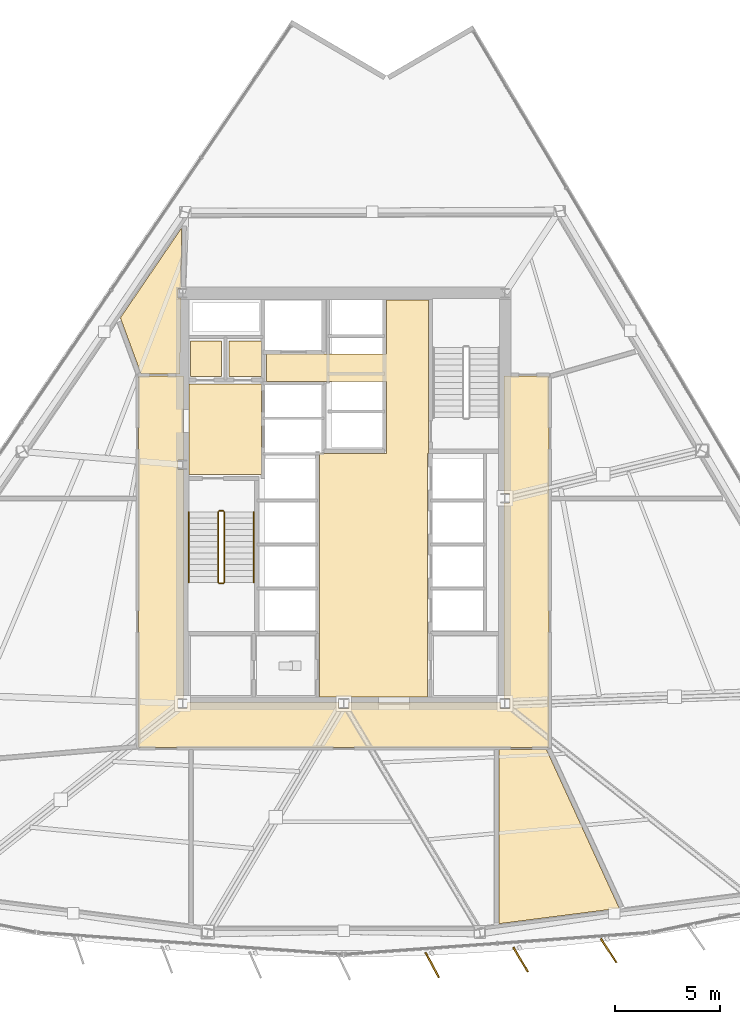
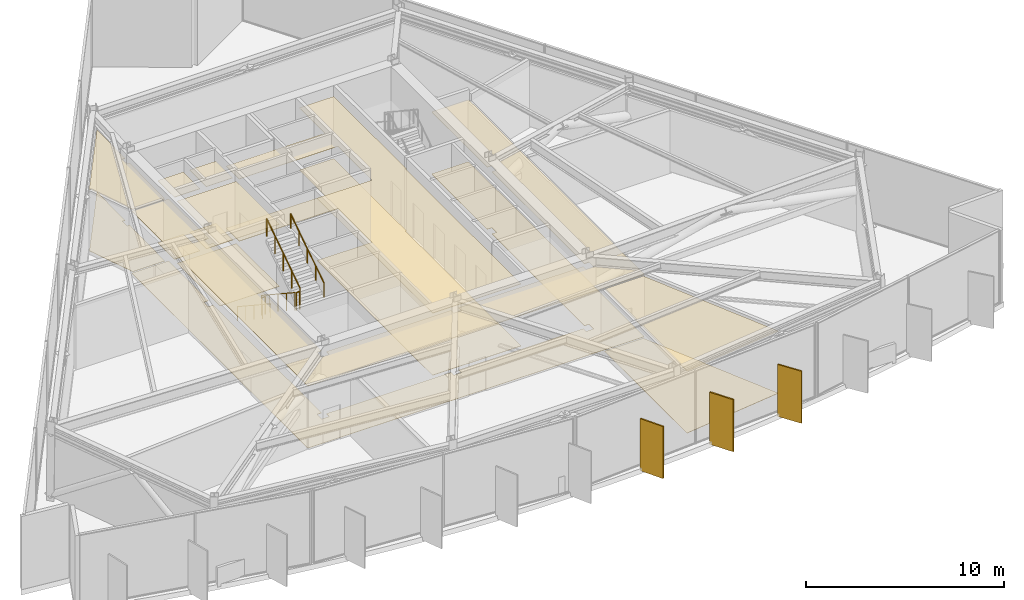
# One storey, part 13 of 16: 14 coverings, 6 railings, 3 shading devices.
"""IFC4 building model written with IfcOpenShell, lengths in metres."""

from ifc_helpers import new_model, si_unit, direction, frame, origin, origin_2d, place, context, subcontext, project, spatial, polyline, rectangle, circle, outline, extrude, material, layer, layer_set, type_object, element, save


model = new_model("IFC4")

# Units and contexts
model_context = context("Model", 3, precision=1e-05, world=origin(), true_north=direction((0.0, 1.0)))
body_context = subcontext(model_context, "Body", "Model", "MODEL_VIEW")
ifc_project = project(units=[si_unit("LENGTHUNIT", "METRE"), si_unit("AREAUNIT", "SQUARE_METRE"), si_unit("VOLUMEUNIT", "CUBIC_METRE"), si_unit("PLANEANGLEUNIT", "RADIAN"), si_unit("MASSUNIT", "GRAM", prefix="KILO")], contexts=[model_context])

# Site, building, storey
site_placement = place(None, origin())
site = spatial("IfcSite", under=ifc_project, at=site_placement, CompositionType="ELEMENT")
building_placement = place(site_placement, origin())
building = spatial("IfcBuilding", under=site, at=building_placement, Name="Savorim Split Tower", CompositionType="ELEMENT")
storey_placement = place(building_placement, frame((0.0, 0.0, 73.199951171875)))
storey = spatial("IfcBuildingStorey", under=building, at=storey_placement, Name="L19", CompositionType="ELEMENT", Elevation=73.199951171875)

# Coverings
ifc_material_1 = material(Name="Mineral Fibre Acoustic Ceiling")
ifc_layer_1 = layer(ifc_material_1, 0.02490234375)
ifc_layer_set_1 = layer_set([ifc_layer_1], Name="COV-CEIL-25")
covering_type_1 = type_object("IfcCoveringType", Name="COV-CEIL-25", PredefinedType="CEILING", material=ifc_layer_set_1)
covering_1_placement = place(storey_placement, frame((0.0, 0.0, 3.820068359375)))
element("IfcCovering", 1, at=covering_1_placement, inside=storey, type_object=covering_type_1, Name="L19 Firefighting Lift Lobby Acoustic Ceiling", PredefinedType="CEILING", context=body_context, shape_type="SweptSolid", body=[
    extrude(outline(polyline([(-7.3798828125, 5.8701171875), (-7.3798828125, 1.530029296875), (-3.929931640625, 1.530029296875), (-3.929931640625, 5.8701171875), (-7.3798828125, 5.8701171875)])), origin(), (0.0, 0.0, 1.0), 0.02490234375),
])
covering_2_placement = place(storey_placement, frame((0.0, 0.0, 3.820068359375)))
element("IfcCovering", 2, at=covering_2_placement, inside=storey, type_object=covering_type_1, Name="L19 Electrical Riser Acoustic Ceiling", PredefinedType="CEILING", context=body_context, shape_type="SweptSolid", body=[
    extrude(outline(polyline([(-7.320068359375, 7.919921875), (-7.320068359375, 6.22998046875), (-5.830078125, 6.22998046875), (-5.830078125, 7.919921875), (-7.320068359375, 7.919921875)])), origin(), (0.0, 0.0, 1.0), 0.02490234375),
])
covering_3_placement = place(storey_placement, frame((0.0, 0.0, 3.820068359375)))
element("IfcCovering", 3, at=covering_3_placement, inside=storey, type_object=covering_type_1, Name="L19 Telecom Riser Acoustic Ceiling", PredefinedType="CEILING", context=body_context, shape_type="SweptSolid", body=[
    extrude(outline(polyline([(-5.469970703125, 7.919921875), (-5.469970703125, 6.22998046875), (-3.929931640625, 6.22998046875), (-3.929931640625, 7.919921875), (-5.469970703125, 7.919921875)])), origin(), (0.0, 0.0, 1.0), 0.02490234375),
])
covering_4_placement = place(storey_placement, frame((0.0, 0.0, 3.820068359375)))
element("IfcCovering", 4, at=covering_4_placement, inside=storey, type_object=covering_type_1, Name="L19 Lift Lobby Acoustic Ceiling", PredefinedType="CEILING", context=body_context, shape_type="SweptSolid", body=[
    extrude(outline(polyline([(2.050048828125, 2.550048828125), (-1.14990234375, 2.550048828125), (-1.14990234375, -9.10009765625), (4.0, -9.10009765625), (4.0, 2.550048828125), (4.050048828125, 2.550048828125), (4.050048828125, 5.97998046875), (4.050048828125, 7.300048828125), (4.050048828125, 9.8798828125), (2.050048828125, 9.8798828125), (2.050048828125, 7.300048828125), (-3.699951171875, 7.300048828125), (-3.699951171875, 5.97998046875), (2.050048828125, 5.97998046875), (2.050048828125, 2.550048828125)])), origin(), (0.0, 0.0, 1.0), 0.02490234375),
])
covering_5_placement = place(storey_placement, frame((0.0, 0.0, 3.820068359375)))
element("IfcCovering", 5, at=covering_5_placement, inside=storey, type_object=covering_type_1, Name="L19 Plant Corridor Acoustic Ceiling", PredefinedType="CEILING", context=body_context, shape_type="SweptSolid", body=[
    extrude(outline(polyline([(7.91796875, 0.1669921875), (7.64990234375, 0.1669921875), (7.64990234375, -9.1669921875), (7.91796875, -9.1669921875), (7.91796875, -9.633056640625), (7.48193359375, -9.633056640625), (7.48193359375, -9.35009765625), (0.218017578125, -9.35009765625), (0.218017578125, -9.633056640625), (-0.218017578125, -9.633056640625), (-0.218017578125, -9.35009765625), (-7.48193359375, -9.35009765625), (-7.48193359375, -9.633056640625), (-7.91796875, -9.633056640625), (-7.91796875, -9.1669921875), (-7.64990234375, -9.1669921875), (-7.64990234375, 1.76708984375), (-7.91796875, 1.76708984375), (-7.91796875, 2.23291015625), (-7.64990234375, 2.23291015625), (-7.64990234375, 6.199951171875), (-7.650146484375, 6.204833984375), (-7.65087890625, 6.209716796875), (-7.652099609375, 6.214599609375), (-7.65380859375, 6.218994140625), (-7.656005859375, 6.2236328125), (-7.658447265625, 6.227783203125), (-7.661376953125, 6.231689453125), (-7.66455078125, 6.2353515625), (-7.668212890625, 6.23876953125), (-7.672119140625, 6.24169921875), (-7.676513671875, 6.244140625), (-7.680908203125, 6.24609375), (-7.685546875, 6.247802734375), (-7.690185546875, 6.2490234375), (-7.695068359375, 6.249755859375), (-7.699951171875, 6.25), (-9.75, 6.25), (-9.7548828125, 6.249755859375), (-9.759765625, 6.2490234375), (-9.764404296875, 6.247802734375), (-9.76904296875, 6.24609375), (-9.773681640625, 6.244140625), (-9.77783203125, 6.24169921875), (-9.78173828125, 6.23876953125), (-9.785400390625, 6.2353515625), (-9.788818359375, 6.231689453125), (-9.79150390625, 6.227783203125), (-9.794189453125, 6.2236328125), (-9.796142578125, 6.218994140625), (-9.7978515625, 6.214599609375), (-9.799072265625, 6.209716796875), (-9.7998046875, 6.204833984375), (-9.800048828125, 6.199951171875), (-9.800048828125, -11.449951171875), (-9.7998046875, -11.454833984375), (-9.799072265625, -11.459716796875), (-9.7978515625, -11.464599609375), (-9.796142578125, -11.468994140625), (-9.794189453125, -11.4736328125), (-9.79150390625, -11.477783203125), (-9.788818359375, -11.481689453125), (-9.785400390625, -11.4853515625), (-9.78173828125, -11.48876953125), (-9.77783203125, -11.49169921875), (-9.773681640625, -11.494140625), (-9.76904296875, -11.49609375), (-9.764404296875, -11.497802734375), (-9.759765625, -11.4990234375), (-9.7548828125, -11.499755859375), (-9.75, -11.5), (9.75, -11.5), (9.7548828125, -11.499755859375), (9.759765625, -11.4990234375), (9.764404296875, -11.497802734375), (9.76904296875, -11.49609375), (9.773681640625, -11.494140625), (9.77783203125, -11.49169921875), (9.78173828125, -11.48876953125), (9.785400390625, -11.4853515625), (9.788818359375, -11.481689453125), (9.79150390625, -11.477783203125), (9.794189453125, -11.4736328125), (9.796142578125, -11.468994140625), (9.7978515625, -11.464599609375), (9.799072265625, -11.459716796875), (9.7998046875, -11.454833984375), (9.800048828125, -11.449951171875), (9.800048828125, 6.199951171875), (9.7998046875, 6.204833984375), (9.799072265625, 6.209716796875), (9.7978515625, 6.214599609375), (9.796142578125, 6.218994140625), (9.794189453125, 6.2236328125), (9.79150390625, 6.227783203125), (9.788818359375, 6.231689453125), (9.785400390625, 6.2353515625), (9.78173828125, 6.23876953125), (9.77783203125, 6.24169921875), (9.773681640625, 6.244140625), (9.76904296875, 6.24609375), (9.764404296875, 6.247802734375), (9.759765625, 6.2490234375), (9.7548828125, 6.249755859375), (9.75, 6.25), (7.699951171875, 6.25), (7.695068359375, 6.249755859375), (7.690185546875, 6.2490234375), (7.685546875, 6.247802734375), (7.680908203125, 6.24609375), (7.676513671875, 6.244140625), (7.672119140625, 6.24169921875), (7.668212890625, 6.23876953125), (7.66455078125, 6.2353515625), (7.661376953125, 6.231689453125), (7.658447265625, 6.227783203125), (7.656005859375, 6.2236328125), (7.65380859375, 6.218994140625), (7.652099609375, 6.214599609375), (7.65087890625, 6.209716796875), (7.650146484375, 6.204833984375), (7.64990234375, 6.199951171875), (7.64990234375, 0.633056640625), (7.91796875, 0.633056640625), (7.91796875, 0.1669921875)])), origin(), (0.0, 0.0, 1.0), 0.02490234375),
])
covering_6_placement = place(storey_placement, frame((0.0, 0.0, 3.820068359375)))
element("IfcCovering", 6, at=covering_6_placement, inside=storey, type_object=covering_type_1, Name="L19 Refuge Area North-West Acoustic Ceiling", PredefinedType="CEILING", context=body_context, shape_type="SweptSolid", body=[
    extrude(outline(polyline([(7.4130859375, -11.590087890625), (7.4130859375, -19.881591796875), (7.4130859375, -19.916748046875), (13.15966796875, -19.178955078125), (9.6943359375, -11.629150390625), (9.676513671875, -11.590087890625), (7.4130859375, -11.590087890625)])), origin(), (0.0, 0.0, 1.0), 0.02490234375),
])
covering_7_placement = place(storey_placement, frame((0.0, 0.0, 3.820068359375)))
element("IfcCovering", 7, at=covering_7_placement, inside=storey, type_object=covering_type_1, Name="L19 Refuge Area South-West Acoustic Ceiling", PredefinedType="CEILING", context=body_context, shape_type="SweptSolid", body=[
    extrude(outline(polyline([(-7.91796875, 10.43310546875), (-7.77294921875, 10.43310546875), (-7.73974609375, 13.322509765625), (-10.692138671875, 8.982666015625), (-10.656494140625, 8.995849609375), (-9.69091796875, 6.370361328125), (-9.6796875, 6.340087890625), (-7.820068359375, 6.340087890625), (-7.7783203125, 9.967041015625), (-7.91796875, 9.967041015625), (-7.91796875, 10.43310546875)])), origin(), (0.0, 0.0, 1.0), 0.02490234375),
])
ifc_material_2 = material(Name="Porcelain Stoneware Flooring", Category="masonry")
ifc_layer_2 = layer(ifc_material_2, 0.02001953125)
ifc_layer_set_2 = layer_set([ifc_layer_2], Name="COV-FLOR-20")
covering_type_2 = type_object("IfcCoveringType", Name="COV-FLOR-20", PredefinedType="FLOORING", material=ifc_layer_set_2)
covering_8_placement = place(storey_placement, origin())
element("IfcCovering", 8, at=covering_8_placement, inside=storey, type_object=covering_type_2, Name="L19 Firefighting Lift Lobby Porcelain Flooring", PredefinedType="FLOORING", context=body_context, shape_type="SweptSolid", body=[
    extrude(outline(polyline([(-7.3798828125, 5.8701171875), (-7.3798828125, 1.530029296875), (-3.929931640625, 1.530029296875), (-3.929931640625, 5.8701171875), (-7.3798828125, 5.8701171875)])), origin(), (0.0, 0.0, 1.0), 0.02001953125),
])
covering_9_placement = place(storey_placement, origin())
element("IfcCovering", 9, at=covering_9_placement, inside=storey, type_object=covering_type_2, Name="L19 Electrical Riser Porcelain Flooring", PredefinedType="FLOORING", context=body_context, shape_type="SweptSolid", body=[
    extrude(outline(polyline([(-7.320068359375, 7.919921875), (-7.320068359375, 6.22998046875), (-5.830078125, 6.22998046875), (-5.830078125, 7.919921875), (-7.320068359375, 7.919921875)])), origin(), (0.0, 0.0, 1.0), 0.02001953125),
])
covering_10_placement = place(storey_placement, origin())
element("IfcCovering", 10, at=covering_10_placement, inside=storey, type_object=covering_type_2, Name="L19 Telecom Riser Porcelain Flooring", PredefinedType="FLOORING", context=body_context, shape_type="SweptSolid", body=[
    extrude(outline(polyline([(-5.469970703125, 7.919921875), (-5.469970703125, 6.22998046875), (-3.929931640625, 6.22998046875), (-3.929931640625, 7.919921875), (-5.469970703125, 7.919921875)])), origin(), (0.0, 0.0, 1.0), 0.02001953125),
])
covering_11_placement = place(storey_placement, origin())
element("IfcCovering", 11, at=covering_11_placement, inside=storey, type_object=covering_type_2, Name="L19 Lift Lobby Porcelain Flooring", PredefinedType="FLOORING", context=body_context, shape_type="SweptSolid", body=[
    extrude(outline(polyline([(2.050048828125, 2.550048828125), (-1.14990234375, 2.550048828125), (-1.14990234375, -9.10009765625), (4.0, -9.10009765625), (4.0, 2.550048828125), (4.050048828125, 2.550048828125), (4.050048828125, 5.97998046875), (4.050048828125, 7.300048828125), (4.050048828125, 9.8798828125), (2.050048828125, 9.8798828125), (2.050048828125, 7.300048828125), (-3.699951171875, 7.300048828125), (-3.699951171875, 5.97998046875), (2.050048828125, 5.97998046875), (2.050048828125, 2.550048828125)])), origin(), (0.0, 0.0, 1.0), 0.02001953125),
])
covering_12_placement = place(storey_placement, origin())
element("IfcCovering", 12, at=covering_12_placement, inside=storey, type_object=covering_type_2, Name="L19 Plant Corridor Porcelain Flooring", PredefinedType="FLOORING", context=body_context, shape_type="SweptSolid", body=[
    extrude(outline(polyline([(7.91796875, 0.1669921875), (7.64990234375, 0.1669921875), (7.64990234375, -9.1669921875), (7.91796875, -9.1669921875), (7.91796875, -9.633056640625), (7.48193359375, -9.633056640625), (7.48193359375, -9.35009765625), (0.218017578125, -9.35009765625), (0.218017578125, -9.633056640625), (-0.218017578125, -9.633056640625), (-0.218017578125, -9.35009765625), (-7.48193359375, -9.35009765625), (-7.48193359375, -9.633056640625), (-7.91796875, -9.633056640625), (-7.91796875, -9.1669921875), (-7.64990234375, -9.1669921875), (-7.64990234375, 1.76708984375), (-7.91796875, 1.76708984375), (-7.91796875, 2.23291015625), (-7.64990234375, 2.23291015625), (-7.64990234375, 6.199951171875), (-7.650146484375, 6.204833984375), (-7.65087890625, 6.209716796875), (-7.652099609375, 6.214599609375), (-7.65380859375, 6.218994140625), (-7.656005859375, 6.2236328125), (-7.658447265625, 6.227783203125), (-7.661376953125, 6.231689453125), (-7.66455078125, 6.2353515625), (-7.668212890625, 6.23876953125), (-7.672119140625, 6.24169921875), (-7.676513671875, 6.244140625), (-7.680908203125, 6.24609375), (-7.685546875, 6.247802734375), (-7.690185546875, 6.2490234375), (-7.695068359375, 6.249755859375), (-7.699951171875, 6.25), (-9.75, 6.25), (-9.7548828125, 6.249755859375), (-9.759765625, 6.2490234375), (-9.764404296875, 6.247802734375), (-9.76904296875, 6.24609375), (-9.773681640625, 6.244140625), (-9.77783203125, 6.24169921875), (-9.78173828125, 6.23876953125), (-9.785400390625, 6.2353515625), (-9.788818359375, 6.231689453125), (-9.79150390625, 6.227783203125), (-9.794189453125, 6.2236328125), (-9.796142578125, 6.218994140625), (-9.7978515625, 6.214599609375), (-9.799072265625, 6.209716796875), (-9.7998046875, 6.204833984375), (-9.800048828125, 6.199951171875), (-9.800048828125, -11.449951171875), (-9.7998046875, -11.454833984375), (-9.799072265625, -11.459716796875), (-9.7978515625, -11.464599609375), (-9.796142578125, -11.468994140625), (-9.794189453125, -11.4736328125), (-9.79150390625, -11.477783203125), (-9.788818359375, -11.481689453125), (-9.785400390625, -11.4853515625), (-9.78173828125, -11.48876953125), (-9.77783203125, -11.49169921875), (-9.773681640625, -11.494140625), (-9.76904296875, -11.49609375), (-9.764404296875, -11.497802734375), (-9.759765625, -11.4990234375), (-9.7548828125, -11.499755859375), (-9.75, -11.5), (9.75, -11.5), (9.7548828125, -11.499755859375), (9.759765625, -11.4990234375), (9.764404296875, -11.497802734375), (9.76904296875, -11.49609375), (9.773681640625, -11.494140625), (9.77783203125, -11.49169921875), (9.78173828125, -11.48876953125), (9.785400390625, -11.4853515625), (9.788818359375, -11.481689453125), (9.79150390625, -11.477783203125), (9.794189453125, -11.4736328125), (9.796142578125, -11.468994140625), (9.7978515625, -11.464599609375), (9.799072265625, -11.459716796875), (9.7998046875, -11.454833984375), (9.800048828125, -11.449951171875), (9.800048828125, 6.199951171875), (9.7998046875, 6.204833984375), (9.799072265625, 6.209716796875), (9.7978515625, 6.214599609375), (9.796142578125, 6.218994140625), (9.794189453125, 6.2236328125), (9.79150390625, 6.227783203125), (9.788818359375, 6.231689453125), (9.785400390625, 6.2353515625), (9.78173828125, 6.23876953125), (9.77783203125, 6.24169921875), (9.773681640625, 6.244140625), (9.76904296875, 6.24609375), (9.764404296875, 6.247802734375), (9.759765625, 6.2490234375), (9.7548828125, 6.249755859375), (9.75, 6.25), (7.699951171875, 6.25), (7.695068359375, 6.249755859375), (7.690185546875, 6.2490234375), (7.685546875, 6.247802734375), (7.680908203125, 6.24609375), (7.676513671875, 6.244140625), (7.672119140625, 6.24169921875), (7.668212890625, 6.23876953125), (7.66455078125, 6.2353515625), (7.661376953125, 6.231689453125), (7.658447265625, 6.227783203125), (7.656005859375, 6.2236328125), (7.65380859375, 6.218994140625), (7.652099609375, 6.214599609375), (7.65087890625, 6.209716796875), (7.650146484375, 6.204833984375), (7.64990234375, 6.199951171875), (7.64990234375, 0.633056640625), (7.91796875, 0.633056640625), (7.91796875, 0.1669921875)])), origin(), (0.0, 0.0, 1.0), 0.02001953125),
])
covering_13_placement = place(storey_placement, origin())
element("IfcCovering", 13, at=covering_13_placement, inside=storey, type_object=covering_type_2, Name="L19 Refuge Area North-West Porcelain Flooring", PredefinedType="FLOORING", context=body_context, shape_type="SweptSolid", body=[
    extrude(outline(polyline([(7.4130859375, -11.590087890625), (7.4130859375, -19.881591796875), (7.4130859375, -19.916748046875), (13.15966796875, -19.178955078125), (9.6943359375, -11.629150390625), (9.676513671875, -11.590087890625), (7.4130859375, -11.590087890625)])), origin(), (0.0, 0.0, 1.0), 0.02001953125),
])
covering_14_placement = place(storey_placement, origin())
element("IfcCovering", 14, at=covering_14_placement, inside=storey, type_object=covering_type_2, Name="L19 Refuge Area South-West Porcelain Flooring", PredefinedType="FLOORING", context=body_context, shape_type="SweptSolid", body=[
    extrude(outline(polyline([(-7.91796875, 10.43310546875), (-7.77294921875, 10.43310546875), (-7.73974609375, 13.322509765625), (-10.692138671875, 8.982666015625), (-10.656494140625, 8.995849609375), (-9.69091796875, 6.370361328125), (-9.6796875, 6.340087890625), (-7.820068359375, 6.340087890625), (-7.7783203125, 9.967041015625), (-7.91796875, 9.967041015625), (-7.91796875, 10.43310546875)])), origin(), (0.0, 0.0, 1.0), 0.02001953125),
])

# Railings
ifc_material_3 = material(Name="Galvanised Painted Steel Balustrade", Category="steel")
railing_type_1 = type_object("IfcRailingType", Name="RLG-HR-900", PredefinedType="HANDRAIL", material=ifc_material_3)
railing_1_placement = place(storey_placement, frame((-7.39990234375, -0.25, 0.1845703125)))
element("IfcRailing", 15, at=railing_1_placement, inside=storey, type_object=railing_type_1, Name="L19 ST-1 stair handrail 1", PredefinedType="HANDRAIL", context=body_context, shape_type="SweptSolid", body=[
    extrude(circle(Radius=0.02392578125, at=origin_2d()), frame((0.0, 0.0, 0.8759765625), z_axis=(0.0, -0.834848600103, 0.550479622607), x_axis=(1.0, 0.0, 0.0)), (0.0, 0.0, 1.0), 4.02490234375),
    extrude(circle(Radius=0.02099609375, at=origin_2d()), origin(), (0.0, 0.0, 1.0), 0.851806640625),
    extrude(circle(Radius=0.02099609375, at=origin_2d()), frame((0.0, -0.840087890625, 0.553955078125)), (0.0, 0.0, 1.0), 0.851806640625),
    extrude(circle(Radius=0.02099609375, at=origin_2d()), frame((0.0, -1.68017578125, 1.10791015625)), (0.0, 0.0, 1.0), 0.851806640625),
    extrude(circle(Radius=0.02099609375, at=origin_2d()), frame((0.0, -2.52001953125, 1.66162109375)), (0.0, 0.0, 1.0), 0.851806640625),
    extrude(circle(Radius=0.02099609375, at=origin_2d()), frame((0.0, -3.360107421875, 2.215576171875)), (0.0, 0.0, 1.0), 0.851806640625),
])
railing_2_placement = place(storey_placement, frame((-4.300048828125, -3.610107421875, 2.584716796875)))
element("IfcRailing", 16, at=railing_2_placement, inside=storey, type_object=railing_type_1, Name="L19 ST-1 stair handrail 2", PredefinedType="HANDRAIL", context=body_context, shape_type="SweptSolid", body=[
    extrude(circle(Radius=0.02392578125, at=origin_2d()), frame((0.0, 0.0, 0.8759765625), z_axis=(0.0, 0.834876476806, 0.550437342915), x_axis=(-1.0, 0.0, 0.0)), (0.0, 0.0, 1.0), 4.024658203125),
    extrude(circle(Radius=0.02099609375, at=origin_2d()), origin(), (0.0, 0.0, 1.0), 0.851806640625),
    extrude(circle(Radius=0.02099609375, at=origin_2d()), frame((0.0, 0.840087890625, 0.5537109375)), (0.0, 0.0, 1.0), 0.851806640625),
    extrude(circle(Radius=0.02099609375, at=origin_2d()), frame((0.0, 1.68017578125, 1.107666015625)), (0.0, 0.0, 1.0), 0.851806640625),
    extrude(circle(Radius=0.02099609375, at=origin_2d()), frame((0.0, 2.52001953125, 1.66162109375)), (0.0, 0.0, 1.0), 0.851806640625),
    extrude(circle(Radius=0.02099609375, at=origin_2d()), frame((0.0, 3.360107421875, 2.21533203125)), (0.0, 0.0, 1.0), 0.851806640625),
])
railing_type_2 = type_object("IfcRailingType", Name="RLG-STG-1100", PredefinedType="BALUSTRADE", material=ifc_material_3)
railing_3_placement = place(storey_placement, frame((-6.0, -0.25, 0.1845703125)))
element("IfcRailing", 17, at=railing_3_placement, inside=storey, type_object=railing_type_2, Name="L19 ST-1 stair guard 1", PredefinedType="BALUSTRADE", context=body_context, shape_type="SweptSolid", body=[
    extrude(circle(Radius=0.02392578125, at=origin_2d()), frame((0.0, 0.0, 1.076171875), z_axis=(0.0, -0.834848600103, 0.550479622607), x_axis=(1.0, 0.0, 0.0)), (0.0, 0.0, 1.0), 4.02490234375),
    extrude(circle(Radius=0.02099609375, at=origin_2d()), origin(), (0.0, 0.0, 1.0), 1.052001953125),
    extrude(circle(Radius=0.02099609375, at=origin_2d()), frame((0.0, -0.840087890625, 0.553955078125)), (0.0, 0.0, 1.0), 1.052001953125),
    extrude(circle(Radius=0.02099609375, at=origin_2d()), frame((0.0, -1.68017578125, 1.10791015625)), (0.0, 0.0, 1.0), 1.052001953125),
    extrude(circle(Radius=0.02099609375, at=origin_2d()), frame((0.0, -2.52001953125, 1.66162109375)), (0.0, 0.0, 1.0), 1.052001953125),
    extrude(circle(Radius=0.02099609375, at=origin_2d()), frame((0.0, -3.360107421875, 2.215576171875)), (0.0, 0.0, 1.0), 1.052001953125),
])
railing_4_placement = place(storey_placement, frame((-5.949951171875, -3.659912109375, 2.400146484375)))
element("IfcRailing", 18, at=railing_4_placement, inside=storey, type_object=railing_type_2, Name="L19 ST-1 stair guard 2", PredefinedType="BALUSTRADE", context=body_context, shape_type="SweptSolid", body=[
    extrude(circle(Radius=0.02392578125, at=origin_2d()), frame((0.0, 0.0, 1.076171875), z_axis=(1.0, 0.0, 0.0), x_axis=(0.0, 1.0, 0.0)), (0.0, 0.0, 1.0), 0.199951171875),
    extrude(circle(Radius=0.02099609375, at=origin_2d()), origin(), (0.0, 0.0, 1.0), 1.052001953125),
    extrude(circle(Radius=0.02099609375, at=origin_2d()), frame((0.199951171875, 0.0, 0.0)), (0.0, 0.0, 1.0), 1.052001953125),
])
railing_5_placement = place(storey_placement, frame((-5.699951171875, -3.610107421875, 2.584716796875)))
element("IfcRailing", 19, at=railing_5_placement, inside=storey, type_object=railing_type_2, Name="L19 ST-1 stair guard 3", PredefinedType="BALUSTRADE", context=body_context, shape_type="SweptSolid", body=[
    extrude(circle(Radius=0.02392578125, at=origin_2d()), frame((0.0, 0.0, 1.076171875), z_axis=(0.0, 0.834876476806, 0.550437342915), x_axis=(-1.0, 0.0, 0.0)), (0.0, 0.0, 1.0), 4.024658203125),
    extrude(circle(Radius=0.02099609375, at=origin_2d()), origin(), (0.0, 0.0, 1.0), 1.052001953125),
    extrude(circle(Radius=0.02099609375, at=origin_2d()), frame((0.0, 0.840087890625, 0.5537109375)), (0.0, 0.0, 1.0), 1.052001953125),
    extrude(circle(Radius=0.02099609375, at=origin_2d()), frame((0.0, 1.68017578125, 1.107666015625)), (0.0, 0.0, 1.0), 1.052001953125),
    extrude(circle(Radius=0.02099609375, at=origin_2d()), frame((0.0, 2.52001953125, 1.66162109375)), (0.0, 0.0, 1.0), 1.052001953125),
    extrude(circle(Radius=0.02099609375, at=origin_2d()), frame((0.0, 3.360107421875, 2.21533203125)), (0.0, 0.0, 1.0), 1.052001953125),
])
railing_6_placement = place(storey_placement, frame((-5.949951171875, -0.199951171875, 0.0)))
element("IfcRailing", 20, at=railing_6_placement, inside=storey, type_object=railing_type_2, Name="L19 ST-1 stair guard 4", PredefinedType="BALUSTRADE", context=body_context, shape_type="SweptSolid", body=[
    extrude(circle(Radius=0.02392578125, at=origin_2d()), frame((0.0, 0.0, 1.076171875), z_axis=(1.0, 0.0, 0.0), x_axis=(0.0, 1.0, 0.0)), (0.0, 0.0, 1.0), 0.199951171875),
    extrude(circle(Radius=0.02099609375, at=origin_2d()), origin(), (0.0, 0.0, 1.0), 1.052001953125),
    extrude(circle(Radius=0.02099609375, at=origin_2d()), frame((0.199951171875, 0.0, 0.0)), (0.0, 0.0, 1.0), 1.052001953125),
])

# Shading devices
ifc_material_4 = material(Name="Terracotta Ceramic-Coated Aluminium Fin", Category="masonry")
shading_device_type = type_object("IfcShadingDeviceType", Name="SHD-FIN-1360", PredefinedType="USERDEFINED", material=ifc_material_4)
for number, where, z_axis, x_axis, name in (
    (21, (4.227294921875, -21.890380859375, -0.19970703125), (0.0, 0.0, 1.0), (0.474778051978, -0.880105562623, 0.0), "L19 Sawtooth Shading Fin 08"),
    (22, (8.447509765625, -21.630859375, -0.19970703125), (0.0, 0.0, 1.0), (0.510391336723, -0.859942255851, 0.0), "L19 Sawtooth Shading Fin 09"),
    (23, (12.653564453125, -21.198974609375, -0.19970703125), (0.0, 0.0, 1.0), (0.545148321708, -0.838339613366, 0.0), "L19 Sawtooth Shading Fin 10"),
):
    element("IfcShadingDevice", number, at=place(storey_placement, frame(where, z_axis=z_axis, x_axis=x_axis)), inside=storey, type_object=shading_device_type, Name=name, ObjectType="FIN", PredefinedType="USERDEFINED", context=body_context, shape_type="SweptSolid", body=[
        extrude(rectangle(XDim=1.360107421875, YDim=0.080078125, at=origin_2d()), origin(), (0.0, 0.0, 1.0), 3.199951171875),
    ])

save(model, "model.ifc")
